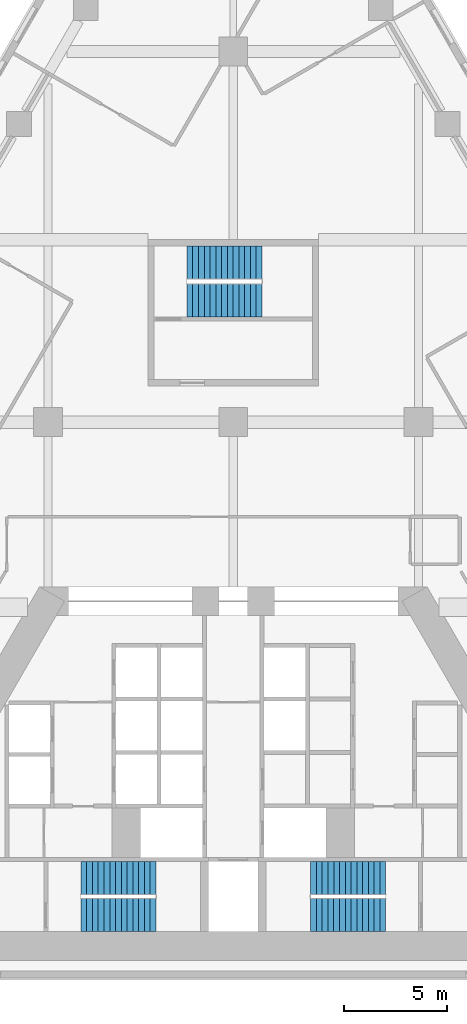
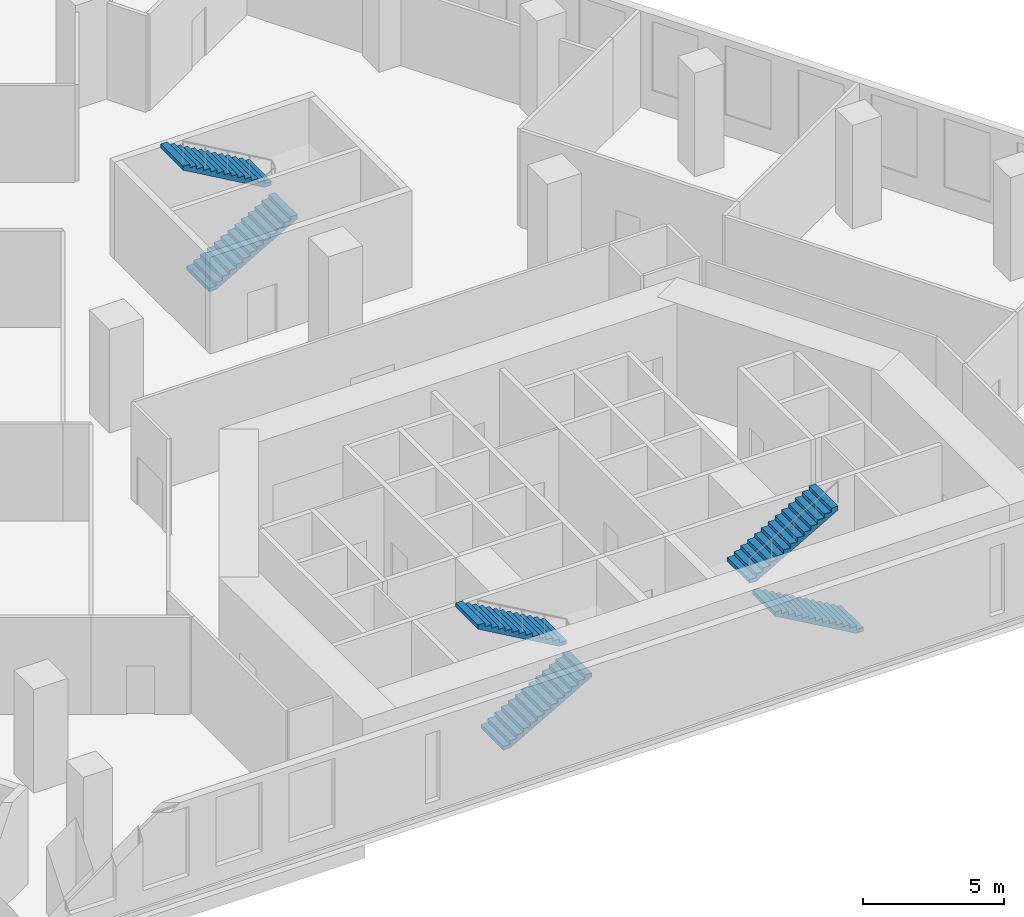
# One storey, part 13 of 14: 6 stair flights, 3 elements without a shape of their own.
"""IFC4 building model written with IfcOpenShell, lengths in metres."""

from ifc_helpers import new_model, si_unit, direction, frame, origin, place, context, subcontext, project, spatial, polyline, outline, extrude, material, type_object, element, aggregate, save


model = new_model("IFC4")

# Units and contexts
model_context = context("Model", 3, precision=1e-05, world=origin(), true_north=direction((0.0, 1.0)))
body_context = subcontext(model_context, "Body", "Model", "MODEL_VIEW")
ifc_project = project(units=[si_unit("LENGTHUNIT", "METRE"), si_unit("AREAUNIT", "SQUARE_METRE"), si_unit("VOLUMEUNIT", "CUBIC_METRE"), si_unit("PLANEANGLEUNIT", "RADIAN"), si_unit("MASSUNIT", "GRAM", prefix="KILO")], contexts=[model_context])

# Site, building, storey
site_placement = place(None, origin())
site = spatial("IfcSite", under=ifc_project, at=site_placement, CompositionType="ELEMENT")
building_placement = place(site_placement, origin())
building = spatial("IfcBuilding", under=site, at=building_placement, Name="Fogline Exchange Tower", CompositionType="ELEMENT")
storey_placement = place(building_placement, frame((0.0, 0.0, 29.5)))
storey = spatial("IfcBuildingStorey", under=building, at=storey_placement, Name="L05", CompositionType="ELEMENT", Elevation=29.5)

# Stair, stair flights
ifc_material = material(Name="Concrete C40", Category="concrete")
stair_type = type_object("IfcStairType", Name="STR28-1607", PredefinedType="HALF_TURN_STAIR", material=ifc_material)
stair_1_placement = place(storey_placement, origin())
stair_1 = element("IfcStair", 1, at=stair_1_placement, inside=storey, type_object=stair_type, Name="Stair ST1", PredefinedType="HALF_TURN_STAIR")
stair_flight_type = type_object("IfcStairFlightType", Name="SF14-1607", PredefinedType="STRAIGHT", material=ifc_material)
stair_flight_1_placement = place(storey_placement, frame((-7.39990234375, 3.050048828125, 0.0), z_axis=(0.0, 0.0, 1.0), x_axis=(1.0, 0.0, 0.0)))
stair_flight_1 = element("IfcStairFlight", 2, at=stair_flight_1_placement, type_object=stair_flight_type, Name="ST1 flight 1", NumberOfRisers=14, NumberOfTreads=13, PredefinedType="STRAIGHT", RiserHeight=0.160714286, TreadLength=0.28, context=body_context, shape_type="SweptSolid", body=[
    extrude(outline(polyline([(0.0, 0.0), (0.0, 0.16064453125), (0.280029296875, 0.16064453125), (0.280029296875, 0.321533203125), (0.56005859375, 0.321533203125), (0.56005859375, 0.482177734375), (0.840087890625, 0.482177734375), (0.840087890625, 0.642822265625), (1.1201171875, 0.642822265625), (1.1201171875, 0.803466796875), (1.39990234375, 0.803466796875), (1.39990234375, 0.96435546875), (1.679931640625, 0.96435546875), (1.679931640625, 1.125), (1.9599609375, 1.125), (1.9599609375, 1.28564453125), (2.239990234375, 1.28564453125), (2.239990234375, 1.446533203125), (2.52001953125, 1.446533203125), (2.52001953125, 1.607177734375), (2.800048828125, 1.607177734375), (2.800048828125, 1.767822265625), (3.080078125, 1.767822265625), (3.080078125, 1.928466796875), (3.360107421875, 1.928466796875), (3.360107421875, 2.08935546875), (3.639892578125, 2.08935546875), (3.639892578125, 2.25), (3.639892578125, 1.91650390625), (0.301025390625, 0.0), (0.0, 0.0)])), frame((0.0, 0.800048828125, 0.0), z_axis=(0.0, -1.0, 0.0), x_axis=(1.0, 0.0, 0.0)), (0.0, 0.0, 1.0), 1.60009765625),
])
stair_flight_2_placement = place(storey_placement, frame((-3.760009765625, 4.85009765625, 2.25), z_axis=(0.0, 0.0, 1.0), x_axis=(-1.0, 0.0, 0.0)))
stair_flight_2 = element("IfcStairFlight", 3, at=stair_flight_2_placement, type_object=stair_flight_type, Name="ST1 flight 2", NumberOfRisers=14, NumberOfTreads=13, PredefinedType="STRAIGHT", RiserHeight=0.160714286, TreadLength=0.28, context=body_context, shape_type="SweptSolid", body=[
    extrude(outline(polyline([(0.0, 0.0), (0.0, 0.16064453125), (0.280029296875, 0.16064453125), (0.280029296875, 0.321533203125), (0.56005859375, 0.321533203125), (0.56005859375, 0.482177734375), (0.840087890625, 0.482177734375), (0.840087890625, 0.642822265625), (1.1201171875, 0.642822265625), (1.1201171875, 0.803466796875), (1.39990234375, 0.803466796875), (1.39990234375, 0.96435546875), (1.679931640625, 0.96435546875), (1.679931640625, 1.125), (1.9599609375, 1.125), (1.9599609375, 1.28564453125), (2.239990234375, 1.28564453125), (2.239990234375, 1.446533203125), (2.52001953125, 1.446533203125), (2.52001953125, 1.607177734375), (2.800048828125, 1.607177734375), (2.800048828125, 1.767822265625), (3.080078125, 1.767822265625), (3.080078125, 1.928466796875), (3.360107421875, 1.928466796875), (3.360107421875, 2.08935546875), (3.639892578125, 2.08935546875), (3.639892578125, 2.25), (3.639892578125, 1.91650390625), (0.301025390625, 0.0), (0.0, 0.0)])), frame((0.0, 0.800048828125, 0.0), z_axis=(0.0, -1.0, 0.0), x_axis=(1.0, 0.0, 0.0)), (0.0, 0.0, 1.0), 1.60009765625),
])
aggregate(stair_1, [stair_flight_1, stair_flight_2])

stair_2_placement = place(storey_placement, origin())
stair_2 = element("IfcStair", 4, at=stair_2_placement, inside=storey, type_object=stair_type, Name="Stair ST2", PredefinedType="HALF_TURN_STAIR")
stair_flight_3_placement = place(storey_placement, frame((7.39990234375, 3.050048828125, 0.0), z_axis=(0.0, 0.0, 1.0), x_axis=(-1.0, 0.0, 0.0)))
stair_flight_3 = element("IfcStairFlight", 5, at=stair_flight_3_placement, type_object=stair_flight_type, Name="ST2 flight 1", NumberOfRisers=14, NumberOfTreads=13, PredefinedType="STRAIGHT", RiserHeight=0.160714286, TreadLength=0.28, context=body_context, shape_type="SweptSolid", body=[
    extrude(outline(polyline([(0.0, 0.0), (0.0, 0.16064453125), (0.280029296875, 0.16064453125), (0.280029296875, 0.321533203125), (0.56005859375, 0.321533203125), (0.56005859375, 0.482177734375), (0.840087890625, 0.482177734375), (0.840087890625, 0.642822265625), (1.1201171875, 0.642822265625), (1.1201171875, 0.803466796875), (1.39990234375, 0.803466796875), (1.39990234375, 0.96435546875), (1.679931640625, 0.96435546875), (1.679931640625, 1.125), (1.9599609375, 1.125), (1.9599609375, 1.28564453125), (2.239990234375, 1.28564453125), (2.239990234375, 1.446533203125), (2.52001953125, 1.446533203125), (2.52001953125, 1.607177734375), (2.800048828125, 1.607177734375), (2.800048828125, 1.767822265625), (3.080078125, 1.767822265625), (3.080078125, 1.928466796875), (3.360107421875, 1.928466796875), (3.360107421875, 2.08935546875), (3.639892578125, 2.08935546875), (3.639892578125, 2.25), (3.639892578125, 1.91650390625), (0.301025390625, 0.0), (0.0, 0.0)])), frame((0.0, 0.800048828125, 0.0), z_axis=(0.0, -1.0, 0.0), x_axis=(1.0, 0.0, 0.0)), (0.0, 0.0, 1.0), 1.60009765625),
])
stair_flight_4_placement = place(storey_placement, frame((3.760009765625, 4.85009765625, 2.25), z_axis=(0.0, 0.0, 1.0), x_axis=(1.0, 0.0, 0.0)))
stair_flight_4 = element("IfcStairFlight", 6, at=stair_flight_4_placement, type_object=stair_flight_type, Name="ST2 flight 2", NumberOfRisers=14, NumberOfTreads=13, PredefinedType="STRAIGHT", RiserHeight=0.160714286, TreadLength=0.28, context=body_context, shape_type="SweptSolid", body=[
    extrude(outline(polyline([(0.0, 0.0), (0.0, 0.16064453125), (0.280029296875, 0.16064453125), (0.280029296875, 0.321533203125), (0.56005859375, 0.321533203125), (0.56005859375, 0.482177734375), (0.840087890625, 0.482177734375), (0.840087890625, 0.642822265625), (1.1201171875, 0.642822265625), (1.1201171875, 0.803466796875), (1.39990234375, 0.803466796875), (1.39990234375, 0.96435546875), (1.679931640625, 0.96435546875), (1.679931640625, 1.125), (1.9599609375, 1.125), (1.9599609375, 1.28564453125), (2.239990234375, 1.28564453125), (2.239990234375, 1.446533203125), (2.52001953125, 1.446533203125), (2.52001953125, 1.607177734375), (2.800048828125, 1.607177734375), (2.800048828125, 1.767822265625), (3.080078125, 1.767822265625), (3.080078125, 1.928466796875), (3.360107421875, 1.928466796875), (3.360107421875, 2.08935546875), (3.639892578125, 2.08935546875), (3.639892578125, 2.25), (3.639892578125, 1.91650390625), (0.301025390625, 0.0), (0.0, 0.0)])), frame((0.0, 0.800048828125, 0.0), z_axis=(0.0, -1.0, 0.0), x_axis=(1.0, 0.0, 0.0)), (0.0, 0.0, 1.0), 1.60009765625),
])
aggregate(stair_2, [stair_flight_3, stair_flight_4])

stair_3_placement = place(storey_placement, origin())
stair_3 = element("IfcStair", 7, at=stair_3_placement, inside=storey, type_object=stair_type, Name="Stair ST3", PredefinedType="HALF_TURN_STAIR")
stair_flight_5_placement = place(storey_placement, frame((-2.25, 32.906982421875, 0.0), z_axis=(0.0, 0.0, 1.0), x_axis=(1.0, 0.0, 0.0)))
stair_flight_5 = element("IfcStairFlight", 8, at=stair_flight_5_placement, type_object=stair_flight_type, Name="ST3 flight 1", NumberOfRisers=14, NumberOfTreads=13, PredefinedType="STRAIGHT", RiserHeight=0.160714286, TreadLength=0.28, context=body_context, shape_type="SweptSolid", body=[
    extrude(outline(polyline([(0.0, 0.0), (0.0, 0.16064453125), (0.280029296875, 0.16064453125), (0.280029296875, 0.321533203125), (0.56005859375, 0.321533203125), (0.56005859375, 0.482177734375), (0.840087890625, 0.482177734375), (0.840087890625, 0.642822265625), (1.1201171875, 0.642822265625), (1.1201171875, 0.803466796875), (1.39990234375, 0.803466796875), (1.39990234375, 0.96435546875), (1.679931640625, 0.96435546875), (1.679931640625, 1.125), (1.9599609375, 1.125), (1.9599609375, 1.28564453125), (2.239990234375, 1.28564453125), (2.239990234375, 1.446533203125), (2.52001953125, 1.446533203125), (2.52001953125, 1.607177734375), (2.800048828125, 1.607177734375), (2.800048828125, 1.767822265625), (3.080078125, 1.767822265625), (3.080078125, 1.928466796875), (3.360107421875, 1.928466796875), (3.360107421875, 2.08935546875), (3.639892578125, 2.08935546875), (3.639892578125, 2.25), (3.639892578125, 1.91650390625), (0.301025390625, 0.0), (0.0, 0.0)])), frame((0.0, 0.800048828125, 0.0), z_axis=(0.0, -1.0, 0.0), x_axis=(1.0, 0.0, 0.0)), (0.0, 0.0, 1.0), 1.60009765625),
])
stair_flight_6_placement = place(storey_placement, frame((1.389892578125, 34.757080078125, 2.25), z_axis=(0.0, 0.0, 1.0), x_axis=(-1.0, 0.0, 0.0)))
stair_flight_6 = element("IfcStairFlight", 9, at=stair_flight_6_placement, type_object=stair_flight_type, Name="ST3 flight 2", NumberOfRisers=14, NumberOfTreads=13, PredefinedType="STRAIGHT", RiserHeight=0.160714286, TreadLength=0.28, context=body_context, shape_type="SweptSolid", body=[
    extrude(outline(polyline([(0.0, 0.0), (0.0, 0.16064453125), (0.280029296875, 0.16064453125), (0.280029296875, 0.321533203125), (0.56005859375, 0.321533203125), (0.56005859375, 0.482177734375), (0.840087890625, 0.482177734375), (0.840087890625, 0.642822265625), (1.1201171875, 0.642822265625), (1.1201171875, 0.803466796875), (1.39990234375, 0.803466796875), (1.39990234375, 0.96435546875), (1.679931640625, 0.96435546875), (1.679931640625, 1.125), (1.9599609375, 1.125), (1.9599609375, 1.28564453125), (2.239990234375, 1.28564453125), (2.239990234375, 1.446533203125), (2.52001953125, 1.446533203125), (2.52001953125, 1.607177734375), (2.800048828125, 1.607177734375), (2.800048828125, 1.767822265625), (3.080078125, 1.767822265625), (3.080078125, 1.928466796875), (3.360107421875, 1.928466796875), (3.360107421875, 2.08935546875), (3.639892578125, 2.08935546875), (3.639892578125, 2.25), (3.639892578125, 1.91650390625), (0.301025390625, 0.0), (0.0, 0.0)])), frame((0.0, 0.800048828125, 0.0), z_axis=(0.0, -1.0, 0.0), x_axis=(1.0, 0.0, 0.0)), (0.0, 0.0, 1.0), 1.60009765625),
])
aggregate(stair_3, [stair_flight_5, stair_flight_6])

save(model, "model.ifc")
